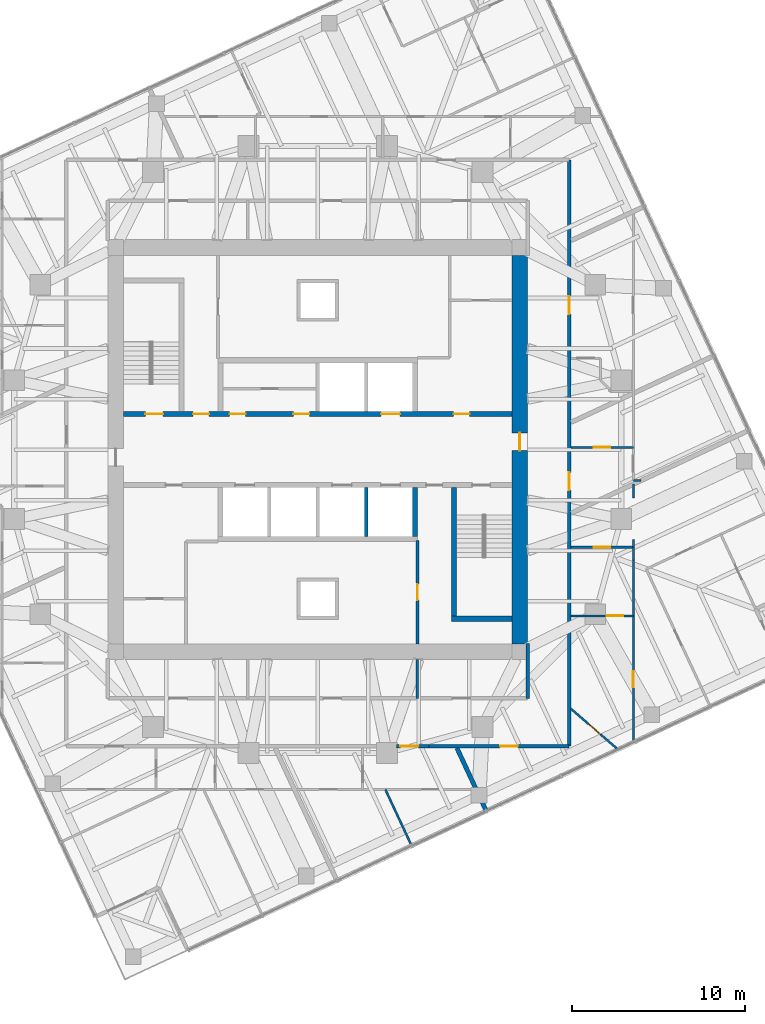
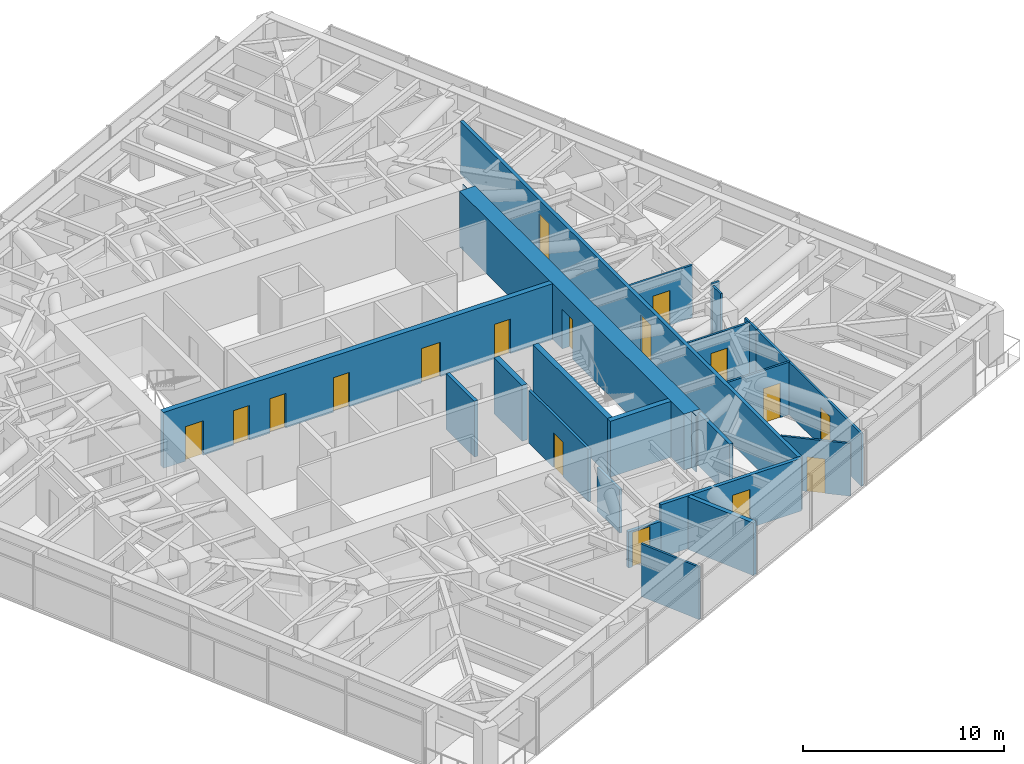
# One storey, part 11 of 16: 23 walls, 17 doors, 17 openings.
"""IFC4 building model written with IfcOpenShell, lengths in metres."""

from ifc_helpers import new_model, si_unit, direction, frame, frame_2d, origin, place, context, subcontext, project, spatial, polyline, rectangle, outline, extrude, material, layer, layer_set, type_object, element, fill, save


model = new_model("IFC4")

# Units and contexts
model_context = context("Model", 3, precision=1e-05, world=origin(), true_north=direction((0.0, 1.0)))
body_context = subcontext(model_context, "Body", "Model", "MODEL_VIEW")
ifc_project = project(units=[si_unit("LENGTHUNIT", "METRE"), si_unit("AREAUNIT", "SQUARE_METRE"), si_unit("VOLUMEUNIT", "CUBIC_METRE"), si_unit("PLANEANGLEUNIT", "RADIAN"), si_unit("MASSUNIT", "GRAM", prefix="KILO")], contexts=[model_context])

# Site, building, storey
site_placement = place(None, origin())
site = spatial("IfcSite", under=ifc_project, at=site_placement, CompositionType="ELEMENT")
building_placement = place(site_placement, origin())
building = spatial("IfcBuilding", under=site, at=building_placement, Name="Torsade Residences", CompositionType="ELEMENT")
storey_placement = place(building_placement, frame((0.0, 0.0, 199.800048828125)))
storey = spatial("IfcBuildingStorey", under=building, at=storey_placement, Name="L55", CompositionType="ELEMENT", Elevation=199.800048828125)

# Wall, openings, doors
ifc_material_1 = material(Name="Concrete 80 MPa", Category="concrete")
ifc_layer_1 = layer(ifc_material_1, 0.300048828125)
ifc_layer_set_1 = layer_set([ifc_layer_1], Name="Concrete 80 MPa")
wall_type_1 = type_object("IfcWallType", Name="CORE INTERNAL WALL 300", PredefinedType="SHEAR", material=ifc_layer_set_1)
wall_1_placement = place(storey_placement, frame((28.800048828125, 32.050048828125, 0.0), z_axis=(0.0, 0.0, 1.0), x_axis=(1.0, 0.0, 0.0)))
wall_1 = element("IfcWall", 1, at=wall_1_placement, inside=storey, type_object=wall_type_1, Name="Core wall LN L55", PredefinedType="SHEAR", context=body_context, shape_type="SweptSolid", body=[
    extrude(rectangle(XDim=22.39990234375, YDim=0.300048828125, at=frame_2d((11.199951171875, 0.0))), origin(), (0.0, 0.0, 1.0), 3.39990234375),
])
opening_1_placement = place(wall_1_placement, frame((19.0400390625, 0.0, 0.0)))
opening_1 = element("IfcOpeningElement", 2, at=opening_1_placement, cuts=wall_1, Name="Opening D06", PredefinedType="OPENING", context=body_context, shape_type="SweptSolid", body=[
    extrude(rectangle(XDim=0.919921875, YDim=2.10009765625, at=frame_2d((0.4599609375, 1.050048828125))), frame((0.0, 0.159912109375, 0.0), z_axis=(0.0, -1.0, 0.0), x_axis=(1.0, 0.0, 0.0)), (0.0, 0.0, 1.0), 0.320068359375),
])
opening_2_placement = place(wall_1_placement, frame((1.264892578125, 0.0, 0.0)))
opening_2 = element("IfcOpeningElement", 3, at=opening_2_placement, cuts=wall_1, Name="Opening D03", PredefinedType="OPENING", context=body_context, shape_type="SweptSolid", body=[
    extrude(rectangle(XDim=1.02001953125, YDim=2.10009765625, at=frame_2d((0.510009765625, 1.050048828125))), frame((0.0, 0.159912109375, 0.0), z_axis=(0.0, -1.0, 0.0), x_axis=(1.0, 0.0, 0.0)), (0.0, 0.0, 1.0), 0.320068359375),
])
opening_3_placement = place(wall_1_placement, frame((4.014892578125, 0.0, 0.0)))
opening_3 = element("IfcOpeningElement", 4, at=opening_3_placement, cuts=wall_1, Name="Opening D06", PredefinedType="OPENING", context=body_context, shape_type="SweptSolid", body=[
    extrude(rectangle(XDim=0.919921875, YDim=2.10009765625, at=frame_2d((0.4599609375, 1.050048828125))), frame((0.0, 0.159912109375, 0.0), z_axis=(0.0, -1.0, 0.0), x_axis=(1.0, 0.0, 0.0)), (0.0, 0.0, 1.0), 0.320068359375),
])
opening_4_placement = place(wall_1_placement, frame((6.114990234375, 0.0, 0.0)))
opening_4 = element("IfcOpeningElement", 5, at=opening_4_placement, cuts=wall_1, Name="Opening D06", PredefinedType="OPENING", context=body_context, shape_type="SweptSolid", body=[
    extrude(rectangle(XDim=0.919921875, YDim=2.10009765625, at=frame_2d((0.4599609375, 1.050048828125))), frame((0.0, 0.159912109375, 0.0), z_axis=(0.0, -1.0, 0.0), x_axis=(1.0, 0.0, 0.0)), (0.0, 0.0, 1.0), 0.320068359375),
])
opening_5_placement = place(wall_1_placement, frame((9.7900390625, 0.0, 0.0)))
opening_5 = element("IfcOpeningElement", 6, at=opening_5_placement, cuts=wall_1, Name="Opening D06", PredefinedType="OPENING", context=body_context, shape_type="SweptSolid", body=[
    extrude(rectangle(XDim=0.919921875, YDim=2.10009765625, at=frame_2d((0.4599609375, 1.050048828125))), frame((0.0, 0.159912109375, 0.0), z_axis=(0.0, -1.0, 0.0), x_axis=(1.0, 0.0, 0.0)), (0.0, 0.0, 1.0), 0.320068359375),
])
opening_6_placement = place(wall_1_placement, frame((14.85009765625, 0.0, 0.0)))
opening_6 = element("IfcOpeningElement", 7, at=opening_6_placement, cuts=wall_1, Name="Opening LD", PredefinedType="OPENING", context=body_context, shape_type="SweptSolid", body=[
    extrude(rectangle(XDim=1.10009765625, YDim=2.10009765625, at=frame_2d((0.550048828125, 1.050048828125))), frame((0.0, 0.159912109375, 0.0), z_axis=(0.0, -1.0, 0.0), x_axis=(1.0, 0.0, 0.0)), (0.0, 0.0, 1.0), 0.320068359375),
])
ifc_material_2 = material(Name="Steel-framed fire door", Category="steel")
door_type_1 = type_object("IfcDoorType", Name="FIRE DOOR 1020", OperationType="NOTDEFINED", PredefinedType="DOOR", material=ifc_material_2)
door_1_placement = place(opening_2_placement, origin())
door_1 = element("IfcDoor", 8, at=door_1_placement, inside=storey, type_object=door_type_1, Name="Exit door to fire-isolated stair ST1 L55", OperationType="SINGLE_SWING_RIGHT", OverallHeight=2.10009765625, OverallWidth=1.02001953125, PredefinedType="DOOR", context=body_context, shape_type="SweptSolid", body=[
    extrude(rectangle(XDim=1.02001953125, YDim=2.10009765625, at=frame_2d((0.510009765625, 1.050048828125))), frame((0.0, 0.02490234375, 0.0), z_axis=(0.0, -1.0, 0.0), x_axis=(1.0, 0.0, 0.0)), (0.0, 0.0, 1.0), 0.050048828125),
])
fill(opening_2, door_1)
ifc_material_3 = material(Name="Steel-framed fire door", Category="steel")
door_type_2 = type_object("IfcDoorType", Name="FIRE DOOR 920", OperationType="NOTDEFINED", PredefinedType="DOOR", material=ifc_material_3)
door_2_placement = place(opening_1_placement, origin())
door_2 = element("IfcDoor", 9, at=door_2_placement, inside=storey, type_object=door_type_2, Name="Door Lift lobby to Refuse room", OperationType="SINGLE_SWING_LEFT", OverallHeight=2.10009765625, OverallWidth=0.919921875, PredefinedType="DOOR", context=body_context, shape_type="SweptSolid", body=[
    extrude(rectangle(XDim=0.919921875, YDim=2.10009765625, at=frame_2d((0.4599609375, 1.050048828125))), frame((0.0, 0.02490234375, 0.0), z_axis=(0.0, -1.0, 0.0), x_axis=(1.0, 0.0, 0.0)), (0.0, 0.0, 1.0), 0.050048828125),
])
fill(opening_1, door_2)
door_3_placement = place(opening_3_placement, origin())
door_3 = element("IfcDoor", 10, at=door_3_placement, inside=storey, type_object=door_type_2, Name="Door Lift lobby to Main switchboard store", OperationType="SINGLE_SWING_LEFT", OverallHeight=2.10009765625, OverallWidth=0.919921875, PredefinedType="DOOR", context=body_context, shape_type="SweptSolid", body=[
    extrude(rectangle(XDim=0.919921875, YDim=2.10009765625, at=frame_2d((0.4599609375, 1.050048828125))), frame((0.0, 0.02490234375, 0.0), z_axis=(0.0, -1.0, 0.0), x_axis=(1.0, 0.0, 0.0)), (0.0, 0.0, 1.0), 0.050048828125),
])
fill(opening_3, door_3)
door_4_placement = place(opening_4_placement, origin())
door_4 = element("IfcDoor", 11, at=door_4_placement, inside=storey, type_object=door_type_2, Name="Door Lift lobby to Parcel room L55A", OperationType="SINGLE_SWING_LEFT", OverallHeight=2.10009765625, OverallWidth=0.919921875, PredefinedType="DOOR", context=body_context, shape_type="SweptSolid", body=[
    extrude(rectangle(XDim=0.919921875, YDim=2.10009765625, at=frame_2d((0.4599609375, 1.050048828125))), frame((0.0, 0.02490234375, 0.0), z_axis=(0.0, -1.0, 0.0), x_axis=(1.0, 0.0, 0.0)), (0.0, 0.0, 1.0), 0.050048828125),
])
fill(opening_4, door_4)
door_5_placement = place(opening_5_placement, origin())
door_5 = element("IfcDoor", 12, at=door_5_placement, inside=storey, type_object=door_type_2, Name="Door Lift lobby to Parcel room L55A", OperationType="SINGLE_SWING_RIGHT", OverallHeight=2.10009765625, OverallWidth=0.919921875, PredefinedType="DOOR", context=body_context, shape_type="SweptSolid", body=[
    extrude(rectangle(XDim=0.919921875, YDim=2.10009765625, at=frame_2d((0.4599609375, 1.050048828125))), frame((0.0, 0.02490234375, 0.0), z_axis=(0.0, -1.0, 0.0), x_axis=(1.0, 0.0, 0.0)), (0.0, 0.0, 1.0), 0.050048828125),
])
fill(opening_5, door_5)
ifc_material_4 = material(Name="Stainless steel lift landing door", Category="steel")
door_type_3 = type_object("IfcDoorType", Name="LIFT LANDING DOOR 1100", OperationType="SLIDING_TO_LEFT", PredefinedType="DOOR", material=ifc_material_4)
door_6_placement = place(opening_6_placement, origin())
door_6 = element("IfcDoor", 13, at=door_6_placement, inside=storey, type_object=door_type_3, Name="Lift FL1 landing door L55", OperationType="SLIDING_TO_LEFT", OverallHeight=2.10009765625, OverallWidth=1.10009765625, PredefinedType="DOOR", context=body_context, shape_type="SweptSolid", body=[
    extrude(rectangle(XDim=1.10009765625, YDim=2.10009765625, at=frame_2d((0.550048828125, 1.050048828125))), frame((0.0, 0.02490234375, 0.0), z_axis=(0.0, -1.0, 0.0), x_axis=(1.0, 0.0, 0.0)), (0.0, 0.0, 1.0), 0.050048828125),
])
fill(opening_6, door_6)

# Walls
wall_2_placement = place(storey_placement, frame((45.60009765625, 27.800048828125, 0.0), z_axis=(0.0, 0.0, 1.0), x_axis=(0.0, -1.0, 0.0)))
element("IfcWall", 14, at=wall_2_placement, inside=storey, type_object=wall_type_1, Name="Core wall DS0 L55", PredefinedType="SHEAR", context=body_context, shape_type="SweptSolid", body=[
    extrude(rectangle(XDim=2.800048828125, YDim=0.300048828125, at=frame_2d((1.39990234375, 0.0))), origin(), (0.0, 0.0, 1.0), 3.39990234375),
])
wall_3_placement = place(storey_placement, frame((47.85009765625, 27.800048828125, 0.0), z_axis=(0.0, 0.0, 1.0), x_axis=(0.0, -1.0, 0.0)))
element("IfcWall", 15, at=wall_3_placement, inside=storey, type_object=wall_type_1, Name="Core wall ST2W L55", PredefinedType="SHEAR", context=body_context, shape_type="SweptSolid", body=[
    extrude(rectangle(XDim=7.699951171875, YDim=0.300048828125, at=frame_2d((3.85009765625, 0.0))), origin(), (0.0, 0.0, 1.0), 3.39990234375),
])
wall_4_placement = place(storey_placement, frame((51.199951171875, 20.25, 0.0), z_axis=(0.0, 0.0, 1.0), x_axis=(-1.0, 0.0, 0.0)))
element("IfcWall", 16, at=wall_4_placement, inside=storey, type_object=wall_type_1, Name="Core wall ST2S L55", PredefinedType="SHEAR", context=body_context, shape_type="SweptSolid", body=[
    extrude(rectangle(XDim=3.5, YDim=0.300048828125, at=frame_2d((1.75, 0.0))), origin(), (0.0, 0.0, 1.0), 3.39990234375),
])

# Wall, opening, door
ifc_material_5 = material(Name="Concrete 80 MPa", Category="concrete")
ifc_layer_2 = layer(ifc_material_5, 0.89990234375)
ifc_layer_set_2 = layer_set([ifc_layer_2], Name="Concrete 80 MPa")
wall_type_2 = type_object("IfcWallType", Name="CORE WALL 900", PredefinedType="SHEAR", material=ifc_layer_set_2)
wall_5_placement = place(storey_placement, frame((51.64990234375, 18.800048828125, 0.0), z_axis=(0.0, 0.0, 1.0), x_axis=(0.0, 1.0, 0.0)))
wall_5 = element("IfcWall", 17, at=wall_5_placement, inside=storey, type_object=wall_type_2, Name="Core wall E L55", PredefinedType="SHEAR", context=body_context, shape_type="SweptSolid", body=[
    extrude(outline(polyline([(0.0, -0.449951171875), (22.39990234375, -0.449951171875), (22.39990234375, -0.02490234375), (22.849853515625, -0.02490234375), (22.849853515625, 0.02490234375), (22.39990234375, 0.02490234375), (22.39990234375, 0.449951171875), (0.0, 0.449951171875), (0.0, 0.02490234375), (-0.449951171875, 0.02490234375), (-0.449951171875, -0.02490234375), (0.0, -0.02490234375), (0.0, -0.449951171875)])), origin(), (0.0, 0.0, 1.0), 3.39990234375),
])
opening_7_placement = place(wall_5_placement, frame((11.139892578125, 0.0, 0.0)))
opening_7 = element("IfcOpeningElement", 18, at=opening_7_placement, cuts=wall_5, Name="Opening D04", PredefinedType="OPENING", context=body_context, shape_type="SweptSolid", body=[
    extrude(rectangle(XDim=1.02001953125, YDim=2.39990234375, at=frame_2d((0.510009765625, 1.199951171875))), frame((0.0, 0.4599609375, 0.0), z_axis=(0.0, -1.0, 0.0), x_axis=(1.0, 0.0, 0.0)), (0.0, 0.0, 1.0), 0.919921875),
])
ifc_material_6 = material(Name="Steel-framed fire door", Category="steel")
door_type_4 = type_object("IfcDoorType", Name="LOBBY SMOKE DOOR 1020x2400", OperationType="NOTDEFINED", PredefinedType="DOOR", material=ifc_material_6)
door_7_placement = place(opening_7_placement, origin())
door_7 = element("IfcDoor", 19, at=door_7_placement, inside=storey, type_object=door_type_4, Name="Lift lobby door E L55", OperationType="SINGLE_SWING_LEFT", OverallHeight=2.39990234375, OverallWidth=1.02001953125, PredefinedType="DOOR", context=body_context, shape_type="SweptSolid", body=[
    extrude(rectangle(XDim=1.02001953125, YDim=2.39990234375, at=frame_2d((0.510009765625, 1.199951171875))), frame((0.0, 0.02490234375, 0.0), z_axis=(0.0, -1.0, 0.0), x_axis=(1.0, 0.0, 0.0)), (0.0, 0.0, 1.0), 0.050048828125),
])
fill(opening_7, door_7)

ifc_material_7 = material(Name="Plasterboard on steel stud", Category="steel")
ifc_layer_3 = layer(ifc_material_7, 0.199951171875)
ifc_layer_set_3 = layer_set([ifc_layer_3], Name="Plasterboard on steel stud")
wall_type_3 = type_object("IfcWallType", Name="CORRIDOR WALL 200", PredefinedType="PARTITIONING", material=ifc_layer_set_3)
wall_6_placement = place(storey_placement, frame((44.530029296875, 12.89990234375, 0.0), z_axis=(0.0, 0.0, 1.0), x_axis=(1.0, 0.0, 0.0)))
wall_6 = element("IfcWall", 20, at=wall_6_placement, inside=storey, type_object=wall_type_3, Name="Corridor wall L55", PredefinedType="PARTITIONING", context=body_context, shape_type="SweptSolid", body=[
    extrude(rectangle(XDim=1.873291015625, YDim=0.199951171875, at=frame_2d((0.9365234375, 0.0))), origin(), (0.0, 0.0, 1.0), 2.199951171875),
])
opening_8_placement = place(wall_6_placement, frame((0.232666015625, 0.0, 0.0)))
opening_8 = element("IfcOpeningElement", 21, at=opening_8_placement, cuts=wall_6, Name="Opening D01L", PredefinedType="OPENING", context=body_context, shape_type="SweptSolid", body=[
    extrude(rectangle(XDim=1.02001953125, YDim=2.10009765625, at=frame_2d((0.510009765625, 1.050048828125))), frame((0.0, 0.10986328125, 0.0), z_axis=(0.0, -1.0, 0.0), x_axis=(1.0, 0.0, 0.0)), (0.0, 0.0, 1.0), 0.219970703125),
])
ifc_material_8 = material(Name="Solid-core timber fire door", Category="wood")
door_type_5 = type_object("IfcDoorType", Name="APARTMENT ENTRY DOOR 1020x2100", OperationType="NOTDEFINED", PredefinedType="DOOR", material=ifc_material_8)
door_8_placement = place(opening_8_placement, origin())
door_8 = element("IfcDoor", 22, at=door_8_placement, inside=storey, type_object=door_type_5, Name="Door Residential corridor to Kitchen and dining", OperationType="SINGLE_SWING_LEFT", OverallHeight=2.10009765625, OverallWidth=1.02001953125, PredefinedType="DOOR", context=body_context, shape_type="SweptSolid", body=[
    extrude(rectangle(XDim=1.02001953125, YDim=2.10009765625, at=frame_2d((0.510009765625, 1.050048828125))), frame((0.0, 0.02490234375, 0.0), z_axis=(0.0, -1.0, 0.0), x_axis=(1.0, 0.0, 0.0)), (0.0, 0.0, 1.0), 0.050048828125),
])
fill(opening_8, door_8)

wall_7_placement = place(storey_placement, frame((46.4033203125, 12.89990234375, 0.0), z_axis=(0.0, 0.0, 1.0), x_axis=(1.0, 0.0, 0.0)))
wall_7 = element("IfcWall", 23, at=wall_7_placement, inside=storey, type_object=wall_type_3, Name="Corridor wall L55", PredefinedType="PARTITIONING", context=body_context, shape_type="SweptSolid", body=[
    extrude(rectangle(XDim=8.0966796875, YDim=0.199951171875, at=frame_2d((4.04833984375, 0.0))), origin(), (0.0, 0.0, 1.0), 3.199951171875),
])
opening_9_placement = place(wall_7_placement, frame((4.1123046875, 0.0, 0.0)))
opening_9 = element("IfcOpeningElement", 24, at=opening_9_placement, cuts=wall_7, Name="Opening D01", PredefinedType="OPENING", context=body_context, shape_type="SweptSolid", body=[
    extrude(rectangle(XDim=1.02001953125, YDim=2.340087890625, at=frame_2d((0.510009765625, 1.169921875))), frame((0.0, 0.10986328125, 0.0), z_axis=(0.0, -1.0, 0.0), x_axis=(1.0, 0.0, 0.0)), (0.0, 0.0, 1.0), 0.219970703125),
])
ifc_material_9 = material(Name="Solid-core timber fire door", Category="wood")
door_type_6 = type_object("IfcDoorType", Name="APARTMENT ENTRY DOOR 1020x2340", OperationType="NOTDEFINED", PredefinedType="DOOR", material=ifc_material_9)
door_9_placement = place(opening_9_placement, origin())
door_9 = element("IfcDoor", 25, at=door_9_placement, inside=storey, type_object=door_type_6, Name="Door Residential corridor to Kitchen and dining", OperationType="SINGLE_SWING_RIGHT", OverallHeight=2.340087890625, OverallWidth=1.02001953125, PredefinedType="DOOR", context=body_context, shape_type="SweptSolid", body=[
    extrude(rectangle(XDim=1.02001953125, YDim=2.340087890625, at=frame_2d((0.510009765625, 1.169921875))), frame((0.0, 0.02490234375, 0.0), z_axis=(0.0, -1.0, 0.0), x_axis=(1.0, 0.0, 0.0)), (0.0, 0.0, 1.0), 0.050048828125),
])
fill(opening_9, door_9)

# Wall, openings, doors
wall_8_placement = place(storey_placement, frame((54.5, 12.89990234375, 0.0), z_axis=(0.0, 0.0, 1.0), x_axis=(0.0, 1.0, 0.0)))
wall_8 = element("IfcWall", 26, at=wall_8_placement, inside=storey, type_object=wall_type_3, Name="Corridor wall L55", PredefinedType="PARTITIONING", context=body_context, shape_type="SweptSolid", body=[
    extrude(rectangle(XDim=33.800048828125, YDim=0.199951171875, at=frame_2d((16.89990234375, 0.0))), origin(), (0.0, 0.0, 1.0), 3.199951171875),
])
opening_10_placement = place(wall_8_placement, frame((24.910888671875, 0.0, 0.0)))
opening_10 = element("IfcOpeningElement", 27, at=opening_10_placement, cuts=wall_8, Name="Opening D01", PredefinedType="OPENING", context=body_context, shape_type="SweptSolid", body=[
    extrude(rectangle(XDim=1.02001953125, YDim=2.340087890625, at=frame_2d((0.510009765625, 1.169921875))), frame((0.0, 0.10986328125, 0.0), z_axis=(0.0, -1.0, 0.0), x_axis=(1.0, 0.0, 0.0)), (0.0, 0.0, 1.0), 0.219970703125),
])
opening_11_placement = place(wall_8_placement, frame((14.759033203125, 0.0, 0.0)))
opening_11 = element("IfcOpeningElement", 28, at=opening_11_placement, cuts=wall_8, Name="Opening D01", PredefinedType="OPENING", context=body_context, shape_type="SweptSolid", body=[
    extrude(rectangle(XDim=1.02001953125, YDim=2.340087890625, at=frame_2d((0.510009765625, 1.169921875))), frame((0.0, 0.10986328125, 0.0), z_axis=(0.0, -1.0, 0.0), x_axis=(1.0, 0.0, 0.0)), (0.0, 0.0, 1.0), 0.219970703125),
])
door_10_placement = place(opening_10_placement, origin())
door_10 = element("IfcDoor", 29, at=door_10_placement, inside=storey, type_object=door_type_6, Name="Door Residential corridor to Kitchen and dining", OperationType="SINGLE_SWING_RIGHT", OverallHeight=2.340087890625, OverallWidth=1.02001953125, PredefinedType="DOOR", context=body_context, shape_type="SweptSolid", body=[
    extrude(rectangle(XDim=1.02001953125, YDim=2.340087890625, at=frame_2d((0.510009765625, 1.169921875))), frame((0.0, 0.02490234375, 0.0), z_axis=(0.0, -1.0, 0.0), x_axis=(1.0, 0.0, 0.0)), (0.0, 0.0, 1.0), 0.050048828125),
])
fill(opening_10, door_10)
door_11_placement = place(opening_11_placement, origin())
door_11 = element("IfcDoor", 30, at=door_11_placement, inside=storey, type_object=door_type_6, Name="Door Residential corridor to Kitchen and dining", OperationType="SINGLE_SWING_RIGHT", OverallHeight=2.340087890625, OverallWidth=1.02001953125, PredefinedType="DOOR", context=body_context, shape_type="SweptSolid", body=[
    extrude(rectangle(XDim=1.02001953125, YDim=2.340087890625, at=frame_2d((0.510009765625, 1.169921875))), frame((0.0, 0.02490234375, 0.0), z_axis=(0.0, -1.0, 0.0), x_axis=(1.0, 0.0, 0.0)), (0.0, 0.0, 1.0), 0.050048828125),
])
fill(opening_11, door_11)

# Walls
wall_9_placement = place(storey_placement, frame((52.10009765625, 15.64990234375, 0.0), z_axis=(0.0, 0.0, 1.0), x_axis=(0.0, 1.0, 0.0)))
element("IfcWall", 31, at=wall_9_placement, inside=storey, type_object=wall_type_3, Name="Corridor wall L55", PredefinedType="PARTITIONING", context=body_context, shape_type="SweptSolid", body=[
    extrude(rectangle(XDim=3.170166015625, YDim=0.199951171875, at=frame_2d((1.5849609375, 0.0))), origin(), (0.0, 0.0, 1.0), 3.199951171875),
])
ifc_material_10 = material(Name="Reinforced blockwork", Category="masonry")
ifc_layer_4 = layer(ifc_material_10, 0.199951171875)
ifc_layer_set_4 = layer_set([ifc_layer_4], Name="Reinforced blockwork")
wall_type_4 = type_object("IfcWallType", Name="LIFT SHAFT DIVIDING WALL 200", PredefinedType="SOLIDWALL", material=ifc_layer_set_4)
wall_10_placement = place(storey_placement, frame((42.800048828125, 27.800048828125, 0.0), z_axis=(0.0, 0.0, 1.0), x_axis=(0.0, -1.0, 0.0)))
element("IfcWall", 32, at=wall_10_placement, inside=storey, type_object=wall_type_4, Name="Core wall DS1 L55", PredefinedType="SOLIDWALL", context=body_context, shape_type="SweptSolid", body=[
    extrude(rectangle(XDim=2.800048828125, YDim=0.199951171875, at=frame_2d((1.39990234375, 0.0))), origin(), (0.0, 0.0, 1.0), 3.39990234375),
])
ifc_material_11 = material(Name="Plasterboard on steel stud", Category="steel")
ifc_layer_5 = layer(ifc_material_11, 0.1201171875)
ifc_layer_set_5 = layer_set([ifc_layer_5], Name="Plasterboard on steel stud")
wall_type_5 = type_object("IfcWallType", Name="PARTITION 120", PredefinedType="PARTITIONING", material=ifc_layer_set_5)
wall_11_placement = place(storey_placement, frame((43.898681640625, 10.39990234375, 0.0), z_axis=(0.0, 0.0, 1.0), x_axis=(0.42263686638, -0.906299111318, 0.0)))
element("IfcWall", 33, at=wall_11_placement, inside=storey, type_object=wall_type_5, Name="Partition L55", PredefinedType="PARTITIONING", context=body_context, shape_type="SweptSolid", body=[
    extrude(rectangle(XDim=3.548583984375, YDim=0.1201171875, at=frame_2d((1.7744140625, 0.0))), origin(), (0.0, 0.0, 1.0), 3.199951171875),
])

# Wall, opening, door
wall_12_placement = place(storey_placement, frame((54.60009765625, 15.05224609375, 0.0), z_axis=(0.0, 0.0, 1.0), x_axis=(0.756558808476, -0.653925660391, 0.0)))
wall_12 = element("IfcWall", 34, at=wall_12_placement, inside=storey, type_object=wall_type_5, Name="Partition L55", PredefinedType="PARTITIONING", context=body_context, shape_type="SweptSolid", body=[
    extrude(rectangle(XDim=3.553955078125, YDim=0.1201171875, at=frame_2d((1.77685546875, 0.0))), origin(), (0.0, 0.0, 1.0), 3.199951171875),
])
opening_12_placement = place(wall_12_placement, frame((1.3388671875, 0.0, 0.0)))
opening_12 = element("IfcOpeningElement", 35, at=opening_12_placement, cuts=wall_12, Name="Opening D02L", PredefinedType="OPENING", context=body_context, shape_type="SweptSolid", body=[
    extrude(rectangle(XDim=0.919921875, YDim=2.10009765625, at=frame_2d((0.4599609375, 1.050048828125))), frame((0.0, 0.070068359375, 0.0), z_axis=(0.0, -1.0, 0.0), x_axis=(1.0, 0.0, 0.0)), (0.0, 0.0, 1.0), 0.14013671875),
])
ifc_material_12 = material(Name="Hollow-core timber door", Category="wood")
door_type_7 = type_object("IfcDoorType", Name="INTERNAL DOOR 920x2100", OperationType="NOTDEFINED", PredefinedType="DOOR", material=ifc_material_12)
door_12_placement = place(opening_12_placement, origin())
door_12 = element("IfcDoor", 36, at=door_12_placement, inside=storey, type_object=door_type_7, Name="Door Kitchen and dining to Scullery", OperationType="SINGLE_SWING_LEFT", OverallHeight=2.10009765625, OverallWidth=0.919921875, PredefinedType="DOOR", context=body_context, shape_type="SweptSolid", body=[
    extrude(rectangle(XDim=0.919921875, YDim=2.10009765625, at=frame_2d((0.4599609375, 1.050048828125))), frame((0.0, 0.02490234375, 0.0), z_axis=(0.0, -1.0, 0.0), x_axis=(1.0, 0.0, 0.0)), (0.0, 0.0, 1.0), 0.050048828125),
])
fill(opening_12, door_12)

wall_13_placement = place(storey_placement, frame((54.60009765625, 20.41259765625, 0.0), z_axis=(0.0, 0.0, 1.0), x_axis=(1.0, 0.0, 0.0)))
wall_13 = element("IfcWall", 37, at=wall_13_placement, inside=storey, type_object=wall_type_5, Name="Partition L55", PredefinedType="PARTITIONING", context=body_context, shape_type="SweptSolid", body=[
    extrude(rectangle(XDim=3.599853515625, YDim=0.1201171875, at=frame_2d((1.7998046875, 0.0))), origin(), (0.0, 0.0, 1.0), 3.199951171875),
])
opening_13_placement = place(wall_13_placement, frame((2.070068359375, 0.0, 0.0)))
opening_13 = element("IfcOpeningElement", 38, at=opening_13_placement, cuts=wall_13, Name="Opening D05", PredefinedType="OPENING", context=body_context, shape_type="SweptSolid", body=[
    extrude(rectangle(XDim=0.9599609375, YDim=2.10009765625, at=frame_2d((0.47998046875, 1.050048828125))), frame((0.0, 0.070068359375, 0.0), z_axis=(0.0, -1.0, 0.0), x_axis=(1.0, 0.0, 0.0)), (0.0, 0.0, 1.0), 0.14013671875),
])
ifc_material_13 = material(Name="Hollow-core timber door in a steel cavity frame", Category="steel")
door_type_8 = type_object("IfcDoorType", Name="BATHROOM CAVITY SLIDING DOOR 960", OperationType="SLIDING_TO_LEFT", PredefinedType="DOOR", material=ifc_material_13)
door_13_placement = place(opening_13_placement, origin())
door_13 = element("IfcDoor", 39, at=door_13_placement, inside=storey, type_object=door_type_8, Name="Door Scullery to Bathroom", OperationType="SLIDING_TO_LEFT", OverallHeight=2.10009765625, OverallWidth=0.9599609375, PredefinedType="DOOR", context=body_context, shape_type="SweptSolid", body=[
    extrude(rectangle(XDim=0.9599609375, YDim=2.10009765625, at=frame_2d((0.47998046875, 1.050048828125))), frame((0.0, 0.02490234375, 0.0), z_axis=(0.0, -1.0, 0.0), x_axis=(1.0, 0.0, 0.0)), (0.0, 0.0, 1.0), 0.050048828125),
])
fill(opening_13, door_13)

wall_14_placement = place(storey_placement, frame((58.199951171875, 23.63232421875, 0.0), z_axis=(0.0, 0.0, 1.0), x_axis=(0.0, -1.0, 0.0)))
wall_14 = element("IfcWall", 40, at=wall_14_placement, inside=storey, type_object=wall_type_5, Name="Partition L55", PredefinedType="PARTITIONING", context=body_context, shape_type="SweptSolid", body=[
    extrude(rectangle(XDim=10.47900390625, YDim=0.1201171875, at=frame_2d((5.239501953125, 0.0))), origin(), (0.0, 0.0, 1.0), 3.199951171875),
])
opening_14_placement = place(wall_14_placement, frame((6.411376953125, 0.0, 0.0)))
opening_14 = element("IfcOpeningElement", 41, at=opening_14_placement, cuts=wall_14, Name="Opening D02", PredefinedType="OPENING", context=body_context, shape_type="SweptSolid", body=[
    extrude(rectangle(XDim=0.919921875, YDim=2.340087890625, at=frame_2d((0.4599609375, 1.169921875))), frame((0.0, 0.070068359375, 0.0), z_axis=(0.0, -1.0, 0.0), x_axis=(1.0, 0.0, 0.0)), (0.0, 0.0, 1.0), 0.14013671875),
])
ifc_material_14 = material(Name="Hollow-core timber door", Category="wood")
door_type_9 = type_object("IfcDoorType", Name="INTERNAL DOOR 920x2340", OperationType="NOTDEFINED", PredefinedType="DOOR", material=ifc_material_14)
door_14_placement = place(opening_14_placement, origin())
door_14 = element("IfcDoor", 42, at=door_14_placement, inside=storey, type_object=door_type_9, Name="Door Scullery to Bedroom 2", OperationType="SINGLE_SWING_RIGHT", OverallHeight=2.340087890625, OverallWidth=0.919921875, PredefinedType="DOOR", context=body_context, shape_type="SweptSolid", body=[
    extrude(rectangle(XDim=0.919921875, YDim=2.340087890625, at=frame_2d((0.4599609375, 1.169921875))), frame((0.0, 0.02490234375, 0.0), z_axis=(0.0, -1.0, 0.0), x_axis=(1.0, 0.0, 0.0)), (0.0, 0.0, 1.0), 0.050048828125),
])
fill(opening_14, door_14)

wall_15_placement = place(storey_placement, frame((54.60009765625, 24.367919921875, 0.0), z_axis=(0.0, 0.0, 1.0), x_axis=(1.0, 0.0, 0.0)))
wall_15 = element("IfcWall", 43, at=wall_15_placement, inside=storey, type_object=wall_type_5, Name="Partition L55", PredefinedType="PARTITIONING", context=body_context, shape_type="SweptSolid", body=[
    extrude(rectangle(XDim=3.599853515625, YDim=0.1201171875, at=frame_2d((1.7998046875, 0.0))), origin(), (0.0, 0.0, 1.0), 3.199951171875),
])
opening_15_placement = place(wall_15_placement, frame((1.320068359375, 0.0, 0.0)))
opening_15 = element("IfcOpeningElement", 44, at=opening_15_placement, cuts=wall_15, Name="Opening D05", PredefinedType="OPENING", context=body_context, shape_type="SweptSolid", body=[
    extrude(rectangle(XDim=0.9599609375, YDim=2.10009765625, at=frame_2d((0.47998046875, 1.050048828125))), frame((0.0, 0.070068359375, 0.0), z_axis=(0.0, -1.0, 0.0), x_axis=(1.0, 0.0, 0.0)), (0.0, 0.0, 1.0), 0.14013671875),
])
door_15_placement = place(opening_15_placement, origin())
door_15 = element("IfcDoor", 45, at=door_15_placement, inside=storey, type_object=door_type_8, Name="Door Bathroom to Ensuite", OperationType="SLIDING_TO_LEFT", OverallHeight=2.10009765625, OverallWidth=0.9599609375, PredefinedType="DOOR", context=body_context, shape_type="SweptSolid", body=[
    extrude(rectangle(XDim=0.9599609375, YDim=2.10009765625, at=frame_2d((0.47998046875, 1.050048828125))), frame((0.0, 0.02490234375, 0.0), z_axis=(0.0, -1.0, 0.0), x_axis=(1.0, 0.0, 0.0)), (0.0, 0.0, 1.0), 0.050048828125),
])
fill(opening_15, door_15)

# Walls
wall_16_placement = place(storey_placement, frame((58.199951171875, 24.800048828125, 0.0), z_axis=(0.0, 0.0, 1.0), x_axis=(0.0, -1.0, 0.0)))
element("IfcWall", 46, at=wall_16_placement, inside=storey, type_object=wall_type_5, Name="Partition L55", PredefinedType="PARTITIONING", context=body_context, shape_type="SweptSolid", body=[
    extrude(rectangle(XDim=0.43212890625, YDim=0.1201171875, at=frame_2d((0.216064453125, 0.0))), origin(), (0.0, 0.0, 1.0), 3.199951171875),
])
wall_17_placement = place(storey_placement, frame((58.199951171875, 28.004638671875, 0.0), z_axis=(0.0, 0.0, 1.0), x_axis=(0.0, -1.0, 0.0)))
element("IfcWall", 47, at=wall_17_placement, inside=storey, type_object=wall_type_5, Name="Partition L55", PredefinedType="PARTITIONING", context=body_context, shape_type="SweptSolid", body=[
    extrude(rectangle(XDim=0.8046875, YDim=0.1201171875, at=frame_2d((0.40234375, 0.0))), origin(), (0.0, 0.0, 1.0), 3.199951171875),
])

# Wall, opening, door
wall_18_placement = place(storey_placement, frame((54.60009765625, 30.131103515625, 0.0), z_axis=(0.0, 0.0, 1.0), x_axis=(1.0, 0.0, 0.0)))
wall_18 = element("IfcWall", 48, at=wall_18_placement, inside=storey, type_object=wall_type_5, Name="Partition L55", PredefinedType="PARTITIONING", context=body_context, shape_type="SweptSolid", body=[
    extrude(rectangle(XDim=3.599853515625, YDim=0.1201171875, at=frame_2d((1.7998046875, 0.0))), origin(), (0.0, 0.0, 1.0), 3.199951171875),
])
opening_16_placement = place(wall_18_placement, frame((1.320068359375, 0.0, 0.0)))
opening_16 = element("IfcOpeningElement", 49, at=opening_16_placement, cuts=wall_18, Name="Opening D05", PredefinedType="OPENING", context=body_context, shape_type="SweptSolid", body=[
    extrude(rectangle(XDim=0.9599609375, YDim=2.10009765625, at=frame_2d((0.47998046875, 1.050048828125))), frame((0.0, 0.070068359375, 0.0), z_axis=(0.0, -1.0, 0.0), x_axis=(1.0, 0.0, 0.0)), (0.0, 0.0, 1.0), 0.14013671875),
])
door_16_placement = place(opening_16_placement, origin())
door_16 = element("IfcDoor", 50, at=door_16_placement, inside=storey, type_object=door_type_8, Name="Door Kitchen and dining to Bathroom", OperationType="SLIDING_TO_LEFT", OverallHeight=2.10009765625, OverallWidth=0.9599609375, PredefinedType="DOOR", context=body_context, shape_type="SweptSolid", body=[
    extrude(rectangle(XDim=0.9599609375, YDim=2.10009765625, at=frame_2d((0.47998046875, 1.050048828125))), frame((0.0, 0.02490234375, 0.0), z_axis=(0.0, -1.0, 0.0), x_axis=(1.0, 0.0, 0.0)), (0.0, 0.0, 1.0), 0.050048828125),
])
fill(opening_16, door_16)

# Walls
wall_19_placement = place(storey_placement, frame((58.199951171875, 28.214599609375, 0.0), z_axis=(0.0, 0.0, 1.0), x_axis=(1.0, 0.0, 0.0)))
element("IfcWall", 51, at=wall_19_placement, inside=storey, type_object=wall_type_5, Name="Partition L55", PredefinedType="PARTITIONING", context=body_context, shape_type="SweptSolid", body=[
    extrude(rectangle(XDim=0.449951171875, YDim=0.1201171875, at=frame_2d((0.22509765625, 0.0))), origin(), (0.0, 0.0, 1.0), 3.199951171875),
])
wall_20_placement = place(storey_placement, frame((58.199951171875, 23.63232421875, 0.0), z_axis=(0.0, 0.0, 1.0), x_axis=(0.0, 1.0, 0.0)))
element("IfcWall", 52, at=wall_20_placement, inside=storey, type_object=wall_type_5, Name="Partition L55", PredefinedType="PARTITIONING", context=body_context, shape_type="SweptSolid", body=[
    extrude(rectangle(XDim=0.735595703125, YDim=0.1201171875, at=frame_2d((0.36767578125, 0.0))), origin(), (0.0, 0.0, 1.0), 3.199951171875),
])
ifc_material_15 = material(Name="Masonry-lined stud party wall", Category="masonry")
ifc_layer_6 = layer(ifc_material_15, 0.25)
ifc_layer_set_6 = layer_set([ifc_layer_6], Name="Masonry-lined stud party wall")
wall_type_6 = type_object("IfcWallType", Name="PARTY WALL 250", PredefinedType="PARTITIONING", material=ifc_layer_set_6)
wall_21_placement = place(storey_placement, frame((49.72021484375, 9.155029296875, 0.0), z_axis=(0.0, 0.0, 1.0), x_axis=(-0.422605017068, 0.906313963011, 0.0)))
element("IfcWall", 53, at=wall_21_placement, inside=storey, type_object=wall_type_6, Name="Party wall L55", PredefinedType="PARTITIONING", context=body_context, shape_type="SweptSolid", body=[
    extrude(rectangle(XDim=4.00341796875, YDim=0.25, at=frame_2d((2.001708984375, 0.0))), origin(), (0.0, 0.0, 1.0), 3.199951171875),
])

# Wall, opening, door
ifc_material_16 = material(Name="Reinforced blockwork", Category="masonry")
ifc_layer_7 = layer(ifc_material_16, 0.14990234375)
ifc_layer_set_7 = layer_set([ifc_layer_7], Name="Reinforced blockwork")
wall_type_7 = type_object("IfcWallType", Name="SERVICE ROOM WALL 150", PredefinedType="SOLIDWALL", material=ifc_layer_set_7)
wall_22_placement = place(storey_placement, frame((45.75, 18.800048828125, 0.0), z_axis=(0.0, 0.0, 1.0), x_axis=(0.0, 1.0, 0.0)))
wall_22 = element("IfcWall", 54, at=wall_22_placement, inside=storey, type_object=wall_type_7, Name="Service room wall L55", PredefinedType="SOLIDWALL", context=body_context, shape_type="SweptSolid", body=[
    extrude(rectangle(XDim=5.949951171875, YDim=0.14990234375, at=frame_2d((2.97509765625, 0.0))), origin(), (0.0, 0.0, 1.0), 3.199951171875),
])
opening_17_placement = place(wall_22_placement, frame((2.514892578125, 0.0, 0.0)))
opening_17 = element("IfcOpeningElement", 55, at=opening_17_placement, cuts=wall_22, Name="Opening D06", PredefinedType="OPENING", context=body_context, shape_type="SweptSolid", body=[
    extrude(rectangle(XDim=0.919921875, YDim=2.10009765625, at=frame_2d((0.4599609375, 1.050048828125))), frame((0.0, 0.0849609375, 0.0), z_axis=(0.0, -1.0, 0.0), x_axis=(1.0, 0.0, 0.0)), (0.0, 0.0, 1.0), 0.169921875),
])
door_17_placement = place(opening_17_placement, origin())
door_17 = element("IfcDoor", 56, at=door_17_placement, inside=storey, type_object=door_type_2, Name="Door Security and data store to Communications riser room", OperationType="SINGLE_SWING_RIGHT", OverallHeight=2.10009765625, OverallWidth=0.919921875, PredefinedType="DOOR", context=body_context, shape_type="SweptSolid", body=[
    extrude(rectangle(XDim=0.919921875, YDim=2.10009765625, at=frame_2d((0.4599609375, 1.050048828125))), frame((0.0, 0.02490234375, 0.0), z_axis=(0.0, -1.0, 0.0), x_axis=(1.0, 0.0, 0.0)), (0.0, 0.0, 1.0), 0.050048828125),
])
fill(opening_17, door_17)

# Wall
wall_23_placement = place(storey_placement, frame((45.7353515625, 15.64990234375, 0.0), z_axis=(0.0, 0.0, 1.0), x_axis=(0.0, 1.0, 0.0)))
element("IfcWall", 57, at=wall_23_placement, inside=storey, type_object=wall_type_7, Name="Service room wall L55", PredefinedType="SOLIDWALL", context=body_context, shape_type="SweptSolid", body=[
    extrude(rectangle(XDim=2.25, YDim=0.14990234375, at=frame_2d((1.125, 0.0))), origin(), (0.0, 0.0, 1.0), 2.6708984375),
])

save(model, "model.ifc")
